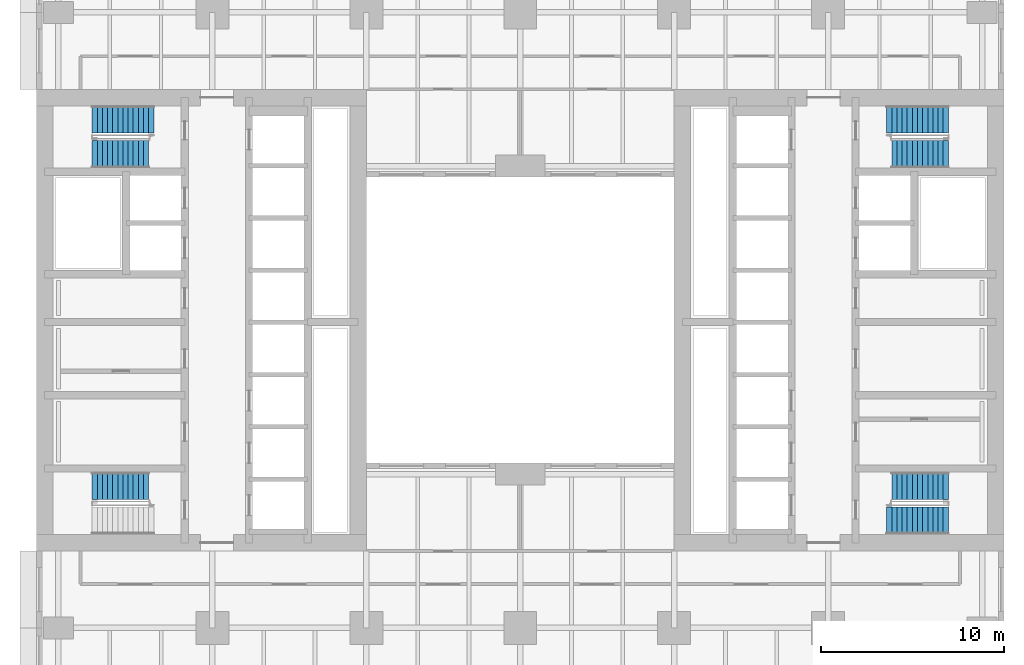
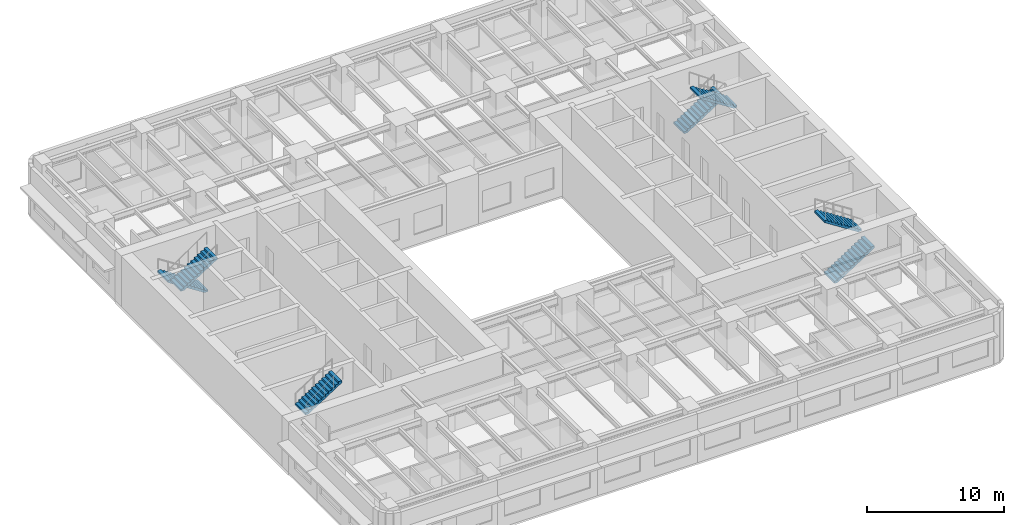
# One storey, part 8 of 14: 7 stair flights, 4 elements without a shape of their own.
"""IFC4 building model written with IfcOpenShell, lengths in metres."""

from ifc_helpers import new_model, si_unit, direction, frame, origin, place, context, subcontext, project, spatial, polyline, outline, extrude, material, type_object, element, aggregate, save


model = new_model("IFC4")

# Units and contexts
model_context = context("Model", 3, precision=1e-05, world=origin(), true_north=direction((0.0, 1.0)))
body_context = subcontext(model_context, "Body", "Model", "MODEL_VIEW")
ifc_project = project(units=[si_unit("LENGTHUNIT", "METRE"), si_unit("AREAUNIT", "SQUARE_METRE"), si_unit("VOLUMEUNIT", "CUBIC_METRE"), si_unit("PLANEANGLEUNIT", "RADIAN"), si_unit("MASSUNIT", "GRAM", prefix="KILO")], contexts=[model_context])

# Site, building, storey
site_placement = place(None, origin())
site = spatial("IfcSite", under=ifc_project, at=site_placement, CompositionType="ELEMENT")
building_placement = place(site_placement, origin())
building = spatial("IfcBuilding", under=site, at=building_placement, Name="Claustro Exchange Tower", CompositionType="ELEMENT")
storey_placement = place(building_placement, frame((0.0, 0.0, 23.39990234375)))
storey = spatial("IfcBuildingStorey", under=building, at=storey_placement, Name="L05", CompositionType="ELEMENT", Elevation=23.39990234375)

# Stair, stair flight
ifc_material_1 = material(Name="Concrete HA-30 (C30/37), precast", Category="concrete")
stair_type = type_object("IfcStairType", Name="ST2 half-turn stair, 25 risers of 180", PredefinedType="HALF_TURN_STAIR", material=ifc_material_1)
stair_1_placement = place(storey_placement, origin())
stair_1 = element("IfcStair", 1, at=stair_1_placement, inside=storey, type_object=stair_type, Name="Stair STWA L05", PredefinedType="HALF_TURN_STAIR")
ifc_material_2 = material(Name="Concrete HA-30 (C30/37), precast", Category="concrete")
stair_flight_type_1 = type_object("IfcStairFlightType", Name="SF12B straight flight, 12 risers of 180, 1500 wide", PredefinedType="STRAIGHT", material=ifc_material_2)
stair_flight_1_placement = place(storey_placement, frame((1.840087890625, 16.14990234375, 2.340087890625), z_axis=(0.0, 0.0, 1.0), x_axis=(1.0, 0.0, 0.0)))
stair_flight_1 = element("IfcStairFlight", 2, at=stair_flight_1_placement, type_object=stair_flight_type_1, Name="STWA flight 2", NumberOfRisers=12, NumberOfTreads=11, PredefinedType="STRAIGHT", RiserHeight=0.18, TreadLength=0.28, context=body_context, shape_type="SweptSolid", body=[
    extrude(outline(polyline([(0.0, 0.0), (0.0, 0.179931640625), (0.280029296875, 0.179931640625), (0.280029296875, 0.360107421875), (0.56005859375, 0.360107421875), (0.56005859375, 0.5400390625), (0.840087890625, 0.5400390625), (0.840087890625, 0.719970703125), (1.1201171875, 0.719970703125), (1.1201171875, 0.89990234375), (1.39990234375, 0.89990234375), (1.39990234375, 1.080078125), (1.679931640625, 1.080078125), (1.679931640625, 1.260009765625), (1.9599609375, 1.260009765625), (1.9599609375, 1.43994140625), (2.239990234375, 1.43994140625), (2.239990234375, 1.6201171875), (2.52001953125, 1.6201171875), (2.52001953125, 1.800048828125), (2.800048828125, 1.800048828125), (2.800048828125, 1.97998046875), (3.080078125, 1.97998046875), (3.080078125, 2.159912109375), (3.080078125, 1.8017578125), (0.277099609375, 0.0), (0.0, 0.0)])), frame((0.0, 0.75, 0.0), z_axis=(0.0, -1.0, 0.0), x_axis=(1.0, 0.0, 0.0)), (0.0, 0.0, 1.0), 1.5),
])
aggregate(stair_1, [stair_flight_1])

stair_2_placement = place(storey_placement, origin())
stair_2 = element("IfcStair", 3, at=stair_2_placement, inside=storey, type_object=stair_type, Name="Stair STWB L05", PredefinedType="HALF_TURN_STAIR")
stair_flight_2_placement = place(storey_placement, frame((1.840087890625, 34.25, 2.340087890625), z_axis=(0.0, 0.0, 1.0), x_axis=(1.0, 0.0, 0.0)))
stair_flight_2 = element("IfcStairFlight", 4, at=stair_flight_2_placement, type_object=stair_flight_type_1, Name="STWB flight 2", NumberOfRisers=12, NumberOfTreads=11, PredefinedType="STRAIGHT", RiserHeight=0.18, TreadLength=0.28, context=body_context, shape_type="SweptSolid", body=[
    extrude(outline(polyline([(0.0, 0.0), (0.0, 0.179931640625), (0.280029296875, 0.179931640625), (0.280029296875, 0.360107421875), (0.56005859375, 0.360107421875), (0.56005859375, 0.5400390625), (0.840087890625, 0.5400390625), (0.840087890625, 0.719970703125), (1.1201171875, 0.719970703125), (1.1201171875, 0.89990234375), (1.39990234375, 0.89990234375), (1.39990234375, 1.080078125), (1.679931640625, 1.080078125), (1.679931640625, 1.260009765625), (1.9599609375, 1.260009765625), (1.9599609375, 1.43994140625), (2.239990234375, 1.43994140625), (2.239990234375, 1.6201171875), (2.52001953125, 1.6201171875), (2.52001953125, 1.800048828125), (2.800048828125, 1.800048828125), (2.800048828125, 1.97998046875), (3.080078125, 1.97998046875), (3.080078125, 2.159912109375), (3.080078125, 1.8017578125), (0.277099609375, 0.0), (0.0, 0.0)])), frame((0.0, 0.75, 0.0), z_axis=(0.0, -1.0, 0.0), x_axis=(1.0, 0.0, 0.0)), (0.0, 0.0, 1.0), 1.5),
])

stair_3_placement = place(storey_placement, origin())
stair_3 = element("IfcStair", 5, at=stair_3_placement, inside=storey, type_object=stair_type, Name="Stair STEA L05", PredefinedType="HALF_TURN_STAIR")
stair_flight_3_placement = place(storey_placement, frame((48.56005859375, 16.14990234375, 2.340087890625), z_axis=(0.0, 0.0, 1.0), x_axis=(-1.0, 0.0, 0.0)))
stair_flight_3 = element("IfcStairFlight", 6, at=stair_flight_3_placement, type_object=stair_flight_type_1, Name="STEA flight 2", NumberOfRisers=12, NumberOfTreads=11, PredefinedType="STRAIGHT", RiserHeight=0.18, TreadLength=0.28, context=body_context, shape_type="SweptSolid", body=[
    extrude(outline(polyline([(0.0, 0.0), (0.0, 0.179931640625), (0.280029296875, 0.179931640625), (0.280029296875, 0.360107421875), (0.56005859375, 0.360107421875), (0.56005859375, 0.5400390625), (0.840087890625, 0.5400390625), (0.840087890625, 0.719970703125), (1.1201171875, 0.719970703125), (1.1201171875, 0.89990234375), (1.39990234375, 0.89990234375), (1.39990234375, 1.080078125), (1.679931640625, 1.080078125), (1.679931640625, 1.260009765625), (1.9599609375, 1.260009765625), (1.9599609375, 1.43994140625), (2.239990234375, 1.43994140625), (2.239990234375, 1.6201171875), (2.52001953125, 1.6201171875), (2.52001953125, 1.800048828125), (2.800048828125, 1.800048828125), (2.800048828125, 1.97998046875), (3.080078125, 1.97998046875), (3.080078125, 2.159912109375), (3.080078125, 1.8017578125), (0.277099609375, 0.0), (0.0, 0.0)])), frame((0.0, 0.75, 0.0), z_axis=(0.0, -1.0, 0.0), x_axis=(1.0, 0.0, 0.0)), (0.0, 0.0, 1.0), 1.5),
])

stair_4_placement = place(storey_placement, origin())
stair_4 = element("IfcStair", 7, at=stair_4_placement, inside=storey, type_object=stair_type, Name="Stair STEB L05", PredefinedType="HALF_TURN_STAIR")
stair_flight_4_placement = place(storey_placement, frame((48.56005859375, 34.25, 2.340087890625), z_axis=(0.0, 0.0, 1.0), x_axis=(-1.0, 0.0, 0.0)))
stair_flight_4 = element("IfcStairFlight", 8, at=stair_flight_4_placement, type_object=stair_flight_type_1, Name="STEB flight 2", NumberOfRisers=12, NumberOfTreads=11, PredefinedType="STRAIGHT", RiserHeight=0.18, TreadLength=0.28, context=body_context, shape_type="SweptSolid", body=[
    extrude(outline(polyline([(0.0, 0.0), (0.0, 0.179931640625), (0.280029296875, 0.179931640625), (0.280029296875, 0.360107421875), (0.56005859375, 0.360107421875), (0.56005859375, 0.5400390625), (0.840087890625, 0.5400390625), (0.840087890625, 0.719970703125), (1.1201171875, 0.719970703125), (1.1201171875, 0.89990234375), (1.39990234375, 0.89990234375), (1.39990234375, 1.080078125), (1.679931640625, 1.080078125), (1.679931640625, 1.260009765625), (1.9599609375, 1.260009765625), (1.9599609375, 1.43994140625), (2.239990234375, 1.43994140625), (2.239990234375, 1.6201171875), (2.52001953125, 1.6201171875), (2.52001953125, 1.800048828125), (2.800048828125, 1.800048828125), (2.800048828125, 1.97998046875), (3.080078125, 1.97998046875), (3.080078125, 2.159912109375), (3.080078125, 1.8017578125), (0.277099609375, 0.0), (0.0, 0.0)])), frame((0.0, 0.75, 0.0), z_axis=(0.0, -1.0, 0.0), x_axis=(1.0, 0.0, 0.0)), (0.0, 0.0, 1.0), 1.5),
])

# Stair flight
ifc_material_3 = material(Name="Concrete HA-30 (C30/37), precast", Category="concrete")
stair_flight_type_2 = type_object("IfcStairFlightType", Name="SF13 straight flight, 13 risers of 180, 1500 wide", PredefinedType="STRAIGHT", material=ifc_material_3)
stair_flight_5_placement = place(storey_placement, frame((5.199951171875, 36.14990234375, 0.0), z_axis=(0.0, 0.0, 1.0), x_axis=(-1.0, 0.0, 0.0)))
stair_flight_5 = element("IfcStairFlight", 9, at=stair_flight_5_placement, type_object=stair_flight_type_2, Name="STWB flight 1", NumberOfRisers=13, NumberOfTreads=12, PredefinedType="STRAIGHT", RiserHeight=0.18, TreadLength=0.28, context=body_context, shape_type="SweptSolid", body=[
    extrude(outline(polyline([(0.0, 0.0), (0.0, 0.179931640625), (0.280029296875, 0.179931640625), (0.280029296875, 0.360107421875), (0.56005859375, 0.360107421875), (0.56005859375, 0.5400390625), (0.840087890625, 0.5400390625), (0.840087890625, 0.719970703125), (1.1201171875, 0.719970703125), (1.1201171875, 0.89990234375), (1.39990234375, 0.89990234375), (1.39990234375, 1.080078125), (1.679931640625, 1.080078125), (1.679931640625, 1.260009765625), (1.9599609375, 1.260009765625), (1.9599609375, 1.43994140625), (2.239990234375, 1.43994140625), (2.239990234375, 1.6201171875), (2.52001953125, 1.6201171875), (2.52001953125, 1.800048828125), (2.800048828125, 1.800048828125), (2.800048828125, 1.97998046875), (3.080078125, 1.97998046875), (3.080078125, 2.159912109375), (3.360107421875, 2.159912109375), (3.360107421875, 2.340087890625), (3.360107421875, 1.981689453125), (0.277099609375, 0.0), (0.0, 0.0)])), frame((0.0, 0.75, 0.0), z_axis=(0.0, -1.0, 0.0), x_axis=(1.0, 0.0, 0.0)), (0.0, 0.0, 1.0), 1.5),
])

aggregate(stair_2, [stair_flight_5, stair_flight_2])

stair_flight_6_placement = place(storey_placement, frame((45.199951171875, 14.25, 0.0), z_axis=(0.0, 0.0, 1.0), x_axis=(1.0, 0.0, 0.0)))
stair_flight_6 = element("IfcStairFlight", 10, at=stair_flight_6_placement, type_object=stair_flight_type_2, Name="STEA flight 1", NumberOfRisers=13, NumberOfTreads=12, PredefinedType="STRAIGHT", RiserHeight=0.18, TreadLength=0.28, context=body_context, shape_type="SweptSolid", body=[
    extrude(outline(polyline([(0.0, 0.0), (0.0, 0.179931640625), (0.280029296875, 0.179931640625), (0.280029296875, 0.360107421875), (0.56005859375, 0.360107421875), (0.56005859375, 0.5400390625), (0.840087890625, 0.5400390625), (0.840087890625, 0.719970703125), (1.1201171875, 0.719970703125), (1.1201171875, 0.89990234375), (1.39990234375, 0.89990234375), (1.39990234375, 1.080078125), (1.679931640625, 1.080078125), (1.679931640625, 1.260009765625), (1.9599609375, 1.260009765625), (1.9599609375, 1.43994140625), (2.239990234375, 1.43994140625), (2.239990234375, 1.6201171875), (2.52001953125, 1.6201171875), (2.52001953125, 1.800048828125), (2.800048828125, 1.800048828125), (2.800048828125, 1.97998046875), (3.080078125, 1.97998046875), (3.080078125, 2.159912109375), (3.360107421875, 2.159912109375), (3.360107421875, 2.340087890625), (3.360107421875, 1.981689453125), (0.277099609375, 0.0), (0.0, 0.0)])), frame((0.0, 0.75, 0.0), z_axis=(0.0, -1.0, 0.0), x_axis=(1.0, 0.0, 0.0)), (0.0, 0.0, 1.0), 1.5),
])

aggregate(stair_3, [stair_flight_6, stair_flight_3])

stair_flight_7_placement = place(storey_placement, frame((45.199951171875, 36.14990234375, 0.0), z_axis=(0.0, 0.0, 1.0), x_axis=(1.0, 0.0, 0.0)))
stair_flight_7 = element("IfcStairFlight", 11, at=stair_flight_7_placement, type_object=stair_flight_type_2, Name="STEB flight 1", NumberOfRisers=13, NumberOfTreads=12, PredefinedType="STRAIGHT", RiserHeight=0.18, TreadLength=0.28, context=body_context, shape_type="SweptSolid", body=[
    extrude(outline(polyline([(0.0, 0.0), (0.0, 0.179931640625), (0.280029296875, 0.179931640625), (0.280029296875, 0.360107421875), (0.56005859375, 0.360107421875), (0.56005859375, 0.5400390625), (0.840087890625, 0.5400390625), (0.840087890625, 0.719970703125), (1.1201171875, 0.719970703125), (1.1201171875, 0.89990234375), (1.39990234375, 0.89990234375), (1.39990234375, 1.080078125), (1.679931640625, 1.080078125), (1.679931640625, 1.260009765625), (1.9599609375, 1.260009765625), (1.9599609375, 1.43994140625), (2.239990234375, 1.43994140625), (2.239990234375, 1.6201171875), (2.52001953125, 1.6201171875), (2.52001953125, 1.800048828125), (2.800048828125, 1.800048828125), (2.800048828125, 1.97998046875), (3.080078125, 1.97998046875), (3.080078125, 2.159912109375), (3.360107421875, 2.159912109375), (3.360107421875, 2.340087890625), (3.360107421875, 1.981689453125), (0.277099609375, 0.0), (0.0, 0.0)])), frame((0.0, 0.75, 0.0), z_axis=(0.0, -1.0, 0.0), x_axis=(1.0, 0.0, 0.0)), (0.0, 0.0, 1.0), 1.5),
])

aggregate(stair_4, [stair_flight_7, stair_flight_4])

save(model, "model.ifc")
